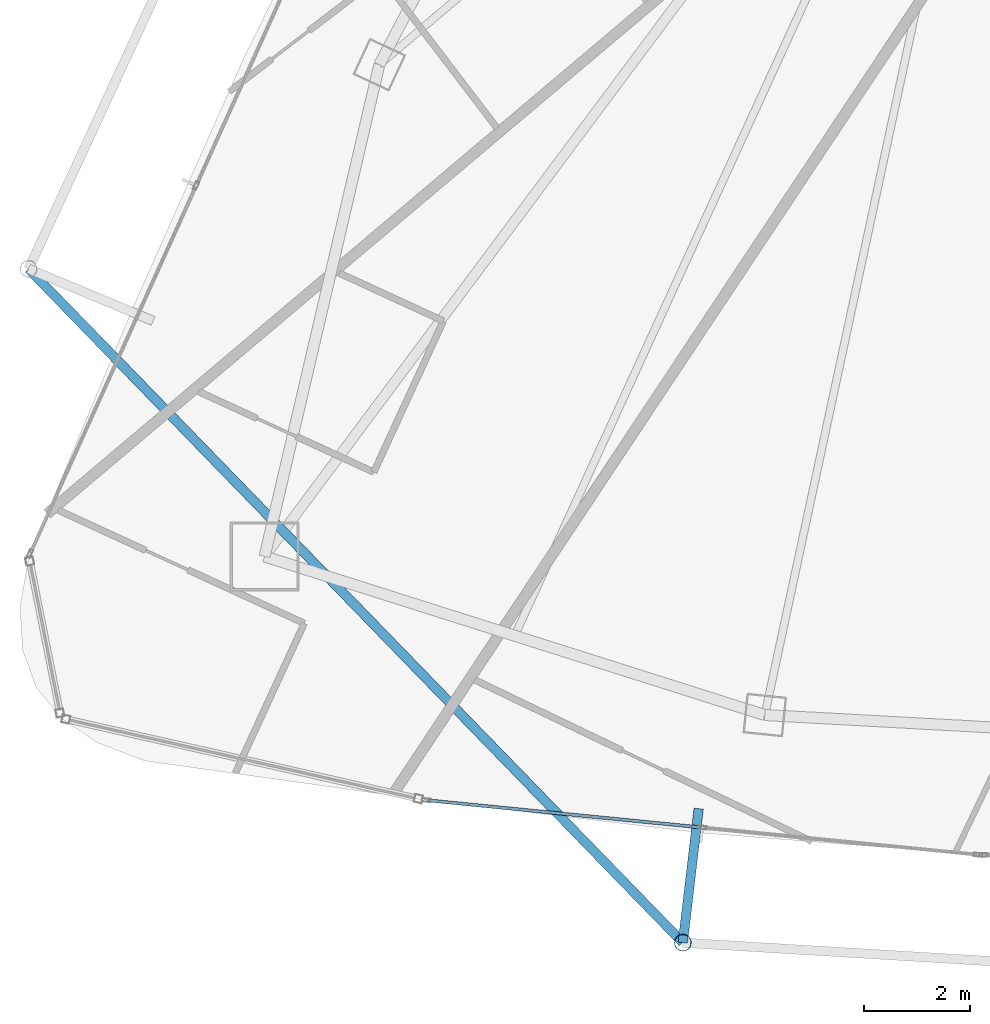
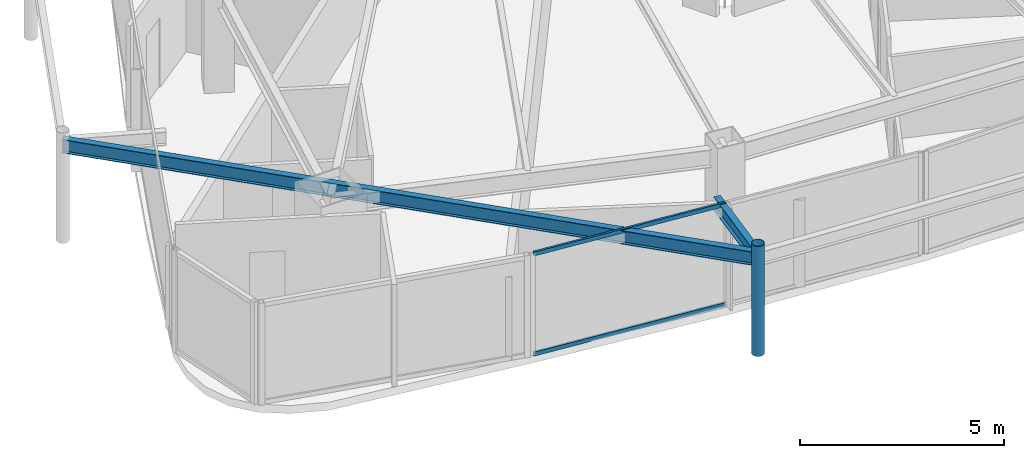
# One storey, part 3 of 33: 3 members, 2 beams, 1 element without a shape of its own.
"""IFC4 building model written with IfcOpenShell, lengths in metres."""

from ifc_helpers import new_model, si_unit, direction, frame, origin, origin_2d, place, context, subcontext, project, spatial, hollow_rectangle, hollow_circle, i_section, extrude, material, layer, layer_set, material_profile, profile_set, type_object, element, aggregate, save


model = new_model("IFC4")

# Units and contexts
model_context = context("Model", 3, precision=1e-05, world=origin(), true_north=direction((0.0, 1.0)))
body_context = subcontext(model_context, "Body", "Model", "MODEL_VIEW")
ifc_project = project(units=[si_unit("LENGTHUNIT", "METRE"), si_unit("AREAUNIT", "SQUARE_METRE"), si_unit("VOLUMEUNIT", "CUBIC_METRE"), si_unit("PLANEANGLEUNIT", "RADIAN"), si_unit("MASSUNIT", "GRAM", prefix="KILO")], contexts=[model_context])

# Site, building, storey
site_placement = place(None, origin())
site = spatial("IfcSite", under=ifc_project, at=site_placement, CompositionType="ELEMENT")
building_placement = place(site_placement, origin())
building = spatial("IfcBuilding", under=site, at=building_placement, Name="Orvanel Arch Residences", CompositionType="ELEMENT")
storey_placement = place(building_placement, frame((0.0, 0.0, 209.60009765625)))
storey = spatial("IfcBuildingStorey", under=building, at=storey_placement, Name="L59", CompositionType="ELEMENT", Elevation=209.60009765625)

# Beams
ifc_material_1 = material(Name="Structural steel AS/NZS 3679.1 Grade 300 (300 MPa)", Category="steel")
ifc_material_profile_1 = material_profile(ifc_material_1, i_section(OverallWidth=0.177978515625, OverallDepth=0.406005859375, WebThickness=0.0078125, FlangeThickness=0.0126953125, at=origin_2d()), Name="410UB59.7")
ifc_profile_set_1 = profile_set([ifc_material_profile_1], Name="Structural steel AS/NZS 3679.1 Grade 300 (300 MPa)")
beam_type = type_object("IfcBeamType", Name="OB-410UB-EXT", PredefinedType="SPANDREL", material=ifc_profile_set_1)
beam_1_placement = place(storey_placement, frame((9.739990234375, 15.784912109375, 2.85693359375), z_axis=(0.696579558645, -0.717479559624, 0.0), x_axis=(0.717479559624, 0.696579558645, 0.0)))
element("IfcBeam", 1, at=beam_1_placement, inside=storey, type_object=beam_type, Name="L59 Outer Perimeter Floor Ring Beam 04", PredefinedType="SPANDREL", context=body_context, shape_type="SweptSolid", body=[
    extrude(i_section(OverallWidth=0.177978515625, OverallDepth=0.406005859375, WebThickness=0.0078125, FlangeThickness=0.0126953125, at=origin_2d()), origin(), (0.0, 0.0, 1.0), 17.743896484375),
])
beam_2_placement = place(storey_placement, frame((22.39990234375, 5.5859375, 2.85693359375), z_axis=(-0.117585676087, -0.993062741613, 0.0), x_axis=(0.993062741613, -0.117585676087, 0.0)))
element("IfcBeam", 2, at=beam_2_placement, inside=storey, type_object=beam_type, Name="L59 Outer Frame Radial Tie Beam 05", PredefinedType="SPANDREL", context=body_context, shape_type="SweptSolid", body=[
    extrude(i_section(OverallWidth=0.177978515625, OverallDepth=0.406005859375, WebThickness=0.0078125, FlangeThickness=0.0126953125, at=origin_2d()), origin(), (0.0, 0.0, 1.0), 2.549560546875),
])

# Member
ifc_material_2 = material(Name="Structural steel AS/NZS 1163 C350L0 (Grade 350)", Category="steel")
ifc_material_profile_2 = material_profile(ifc_material_2, hollow_circle(Radius=0.162109375, WallThickness=0.0126953125, at=origin_2d()), Name="CHS324x12.7")
ifc_profile_set_2 = profile_set([ifc_material_profile_2], Name="Structural steel AS/NZS 1163 C350L0 (Grade 350)")
member_type_1 = type_object("IfcMemberType", Name="ST-324CHS-EXT", PredefinedType="STRUT", material=ifc_profile_set_2)
member_1_placement = place(storey_placement, frame((22.10009765625, 3.053955078125, 0.0), z_axis=(0.0, 0.0, 1.0), x_axis=(1.0, 0.0, 0.0)))
element("IfcMember", 3, at=member_1_placement, inside=storey, type_object=member_type_1, Name="L59 Outer Perimeter Frame Post 05", PredefinedType="STRUT", context=body_context, shape_type="SweptSolid", body=[
    extrude(hollow_circle(Radius=0.162109375, WallThickness=0.0126953125, at=origin_2d()), origin(), (0.0, 0.0, 1.0), 3.2998046875),
])

# Curtain wall, members
ifc_material_3 = material(Name="Bronze-anodised aluminium AA6063-T6", Category="aluminium")
ifc_layer = layer(ifc_material_3, 0.175048828125)
ifc_layer_set = layer_set([ifc_layer], Name="Bronze-anodised aluminium AA6063-T6")
curtain_wall_type = type_object("IfcCurtainWallType", Name="CW4-HI-SYS", PredefinedType="NOTDEFINED", material=ifc_layer_set)
curtain_wall_placement = place(storey_placement, origin())
curtain_wall = element("IfcCurtainWall", 4, at=curtain_wall_placement, inside=storey, type_object=curtain_wall_type, Name="L59 CW4-HI-SYS Unitised Curtain Wall", PredefinedType="NOTDEFINED")
ifc_material_profile_3 = material_profile(ifc_material_3, hollow_rectangle(XDim=0.06005859375, YDim=0.1201171875, WallThickness=0.00341796875, at=origin_2d()), Name="ALU120x60x3.5")
ifc_profile_set_3 = profile_set([ifc_material_profile_3], Name="Bronze-anodised aluminium AA6063-T6")
member_type_2 = type_object("IfcMemberType", Name="TRN-120x60", PredefinedType="USERDEFINED", material=ifc_profile_set_3)
member_2_placement = place(storey_placement, frame((17.28369140625, 5.74267578125, 0.02978515625), z_axis=(0.995122762776, -0.098644244665, 0.0), x_axis=(0.098644244665, 0.995122762776, 0.0)))
member_2 = element("IfcMember", 5, at=member_2_placement, type_object=member_type_2, Name="CW-S4 transom 1.1", ObjectType="TRANSOM", PredefinedType="USERDEFINED", context=body_context, shape_type="SweptSolid", body=[
    extrude(hollow_rectangle(XDim=0.06005859375, YDim=0.1201171875, WallThickness=0.00341796875, at=origin_2d()), origin(), (0.0, 0.0, 1.0), 5.175048828125),
])
member_3_placement = place(storey_placement, frame((17.28369140625, 5.74267578125, 3.02978515625), z_axis=(0.995122762776, -0.098644244665, 0.0), x_axis=(0.098644244665, 0.995122762776, 0.0)))
member_3 = element("IfcMember", 6, at=member_3_placement, type_object=member_type_2, Name="CW-S4 transom 1.2", ObjectType="TRANSOM", PredefinedType="USERDEFINED", context=body_context, shape_type="SweptSolid", body=[
    extrude(hollow_rectangle(XDim=0.06005859375, YDim=0.1201171875, WallThickness=0.00341796875, at=origin_2d()), origin(), (0.0, 0.0, 1.0), 5.175048828125),
])
aggregate(curtain_wall, [member_2, member_3])

save(model, "model.ifc")
